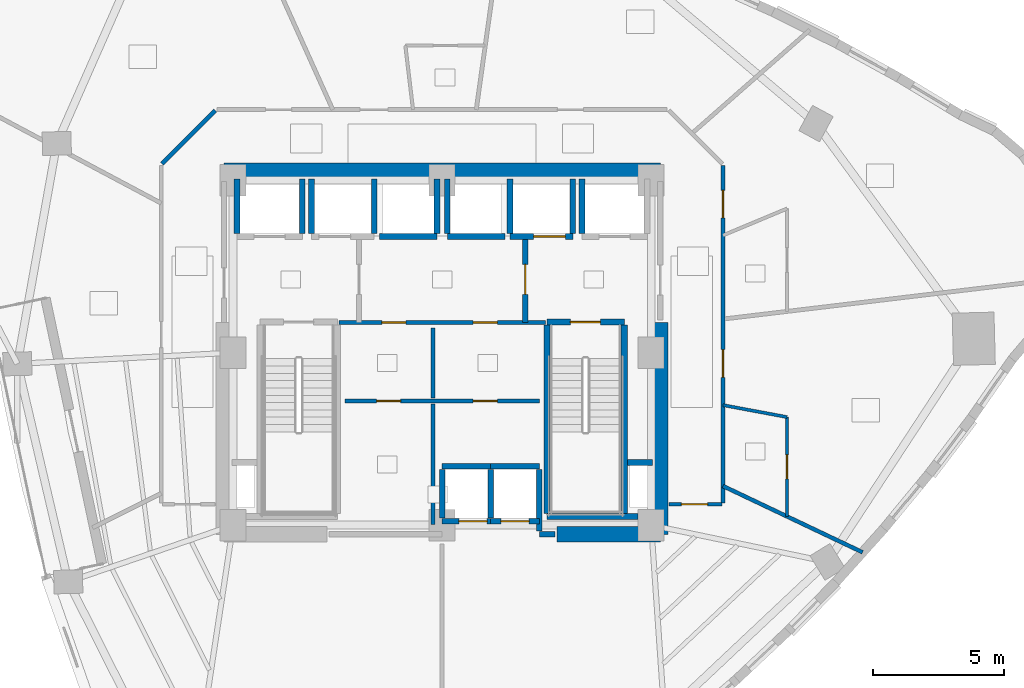
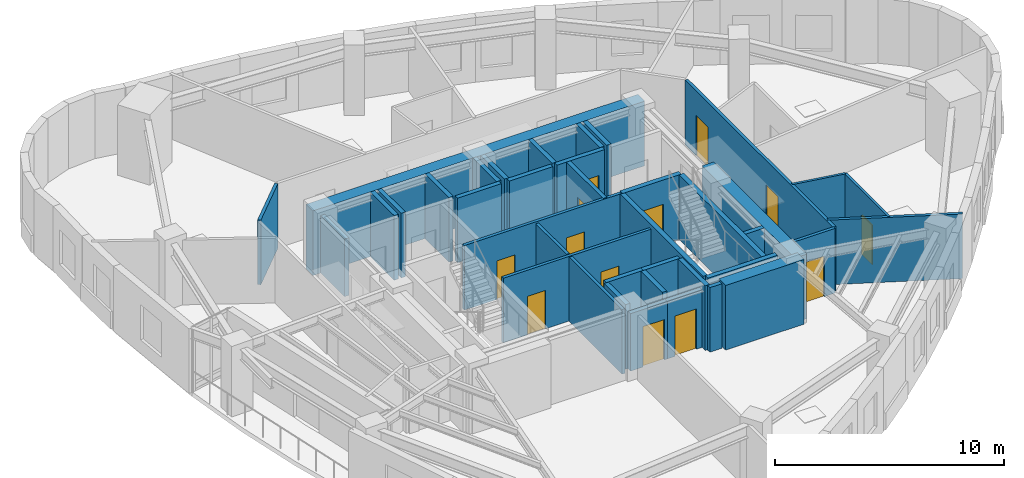
# One storey, part 7 of 12: 39 walls, 13 doors, 13 openings.
"""IFC4 building model written with IfcOpenShell, lengths in metres."""

from ifc_helpers import new_model, si_unit, direction, frame, frame_2d, origin, place, context, subcontext, project, spatial, rectangle, extrude, material, layer, layer_set, type_object, element, fill, save


model = new_model("IFC4")

# Units and contexts
model_context = context("Model", 3, precision=1e-05, world=origin(), true_north=direction((0.0, 1.0)))
body_context = subcontext(model_context, "Body", "Model", "MODEL_VIEW")
ifc_project = project(units=[si_unit("LENGTHUNIT", "METRE"), si_unit("AREAUNIT", "SQUARE_METRE"), si_unit("VOLUMEUNIT", "CUBIC_METRE"), si_unit("PLANEANGLEUNIT", "RADIAN"), si_unit("MASSUNIT", "GRAM", prefix="KILO")], contexts=[model_context])

# Site, building, storey
site_placement = place(None, origin())
site = spatial("IfcSite", under=ifc_project, at=site_placement, CompositionType="ELEMENT")
building_placement = place(site_placement, origin())
building = spatial("IfcBuilding", under=site, at=building_placement, Name="Ndelora Gate Hotel", CompositionType="ELEMENT")
storey_placement = place(building_placement, frame((0.0, 0.0, 164.75)))
storey = spatial("IfcBuildingStorey", under=building, at=storey_placement, Name="L41", CompositionType="ELEMENT", Elevation=164.75)

# Walls
ifc_material_1 = material(Name="Concrete C60/75", Category="concrete")
ifc_layer_1 = layer(ifc_material_1, 0.60009765625)
ifc_layer_set_1 = layer_set([ifc_layer_1], Name="Concrete C60/75")
wall_type_1 = type_object("IfcWallType", Name="WL-CORE-600", PredefinedType="SHEAR", material=ifc_layer_set_1)
wall_1_placement = place(storey_placement, frame((-8.35009765625, 6.949951171875, 0.0), z_axis=(0.0, 0.0, 1.0), x_axis=(1.0, 0.0, 0.0)))
element("IfcWall", 1, at=wall_1_placement, inside=storey, type_object=wall_type_1, Name="L41 Core Shear Wall N", PredefinedType="SHEAR", context=body_context, shape_type="SweptSolid", body=[
    extrude(rectangle(XDim=16.7001953125, YDim=0.60009765625, at=frame_2d((8.35009765625, 0.0))), origin(), (0.0, 0.0, 1.0), 3.43994140625),
])
wall_2_placement = place(storey_placement, frame((4.39990234375, -6.949951171875, 0.0), z_axis=(0.0, 0.0, 1.0), x_axis=(1.0, 0.0, 0.0)))
element("IfcWall", 2, at=wall_2_placement, inside=storey, type_object=wall_type_1, Name="L41 Core Shear Wall S-E", PredefinedType="SHEAR", context=body_context, shape_type="SweptSolid", body=[
    extrude(rectangle(XDim=3.9501953125, YDim=0.60009765625, at=frame_2d((1.97509765625, 0.0))), origin(), (0.0, 0.0, 1.0), 3.43994140625),
])
wall_3_placement = place(storey_placement, frame((8.35009765625, -6.949951171875, 0.0), z_axis=(0.0, 0.0, 1.0), x_axis=(0.0, 1.0, 0.0)))
element("IfcWall", 3, at=wall_3_placement, inside=storey, type_object=wall_type_1, Name="L41 Core Shear Wall E", PredefinedType="SHEAR", context=body_context, shape_type="SweptSolid", body=[
    extrude(rectangle(XDim=8.099853515625, YDim=0.60009765625, at=frame_2d((4.0498046875, 0.0))), origin(), (0.0, 0.0, 1.0), 3.43994140625),
])

# Wall, opening, door
ifc_material_2 = material(Name="Concrete C40/50", Category="concrete")
ifc_layer_2 = layer(ifc_material_2, 0.199951171875)
ifc_layer_set_2 = layer_set([ifc_layer_2], Name="Concrete C40/50")
wall_type_2 = type_object("IfcWallType", Name="WL-FIRE-200", PredefinedType="PARTITIONING", material=ifc_layer_set_2)
wall_4_placement = place(storey_placement, frame((3.179931640625, 1.14990234375, 0.0), z_axis=(0.0, 0.0, 1.0), x_axis=(0.0, 1.0, 0.0)))
wall_4 = element("IfcWall", 4, at=wall_4_placement, inside=storey, type_object=wall_type_2, Name="L41 Interior Wall IW-2", PredefinedType="PARTITIONING", context=body_context, shape_type="SweptSolid", body=[
    extrude(rectangle(XDim=3.300048828125, YDim=0.199951171875, at=frame_2d((1.64990234375, 0.0))), origin(), (0.0, 0.0, 1.0), 3.43994140625),
])
opening_1_placement = place(wall_4_placement, frame((1.080078125, 0.0, 0.0)))
opening_1 = element("IfcOpeningElement", 5, at=opening_1_placement, cuts=wall_4, Name="Opening FD1", PredefinedType="OPENING", context=body_context, shape_type="SweptSolid", body=[
    extrude(rectangle(XDim=1.14990234375, YDim=2.14990234375, at=frame_2d((0.574951171875, 1.074951171875))), frame((0.0, 0.10986328125, 0.0), z_axis=(0.0, -1.0, 0.0), x_axis=(1.0, 0.0, 0.0)), (0.0, 0.0, 1.0), 0.219970703125),
])
ifc_material_3 = material(Name="Fire-Rated Timber-Veneer Steel Core", Category="steel")
door_type_1 = type_object("IfcDoorType", Name="DR-FD60", OperationType="SINGLE_SWING_LEFT", PredefinedType="DOOR", material=ifc_material_3)
door_1_placement = place(opening_1_placement, origin())
door_1 = element("IfcDoor", 6, at=door_1_placement, inside=storey, type_object=door_type_1, Name="L41 Firefighting Lobby East Door", OperationType="SINGLE_SWING_LEFT", OverallHeight=2.14990234375, OverallWidth=1.14990234375, PredefinedType="DOOR", context=body_context, shape_type="SweptSolid", body=[
    extrude(rectangle(XDim=1.14990234375, YDim=2.14990234375, at=frame_2d((0.574951171875, 1.074951171875))), frame((0.0, 0.02490234375, 0.0), z_axis=(0.0, -1.0, 0.0), x_axis=(1.0, 0.0, 0.0)), (0.0, 0.0, 1.0), 0.050048828125),
])
fill(opening_1, door_1)

# Wall
wall_5_placement = place(storey_placement, frame((3.719970703125, -6.949951171875, 0.0), z_axis=(0.0, 0.0, 1.0), x_axis=(1.0, 0.0, 0.0)))
element("IfcWall", 7, at=wall_5_placement, inside=storey, type_object=wall_type_2, Name="L41 Interior Wall IW-2", PredefinedType="PARTITIONING", context=body_context, shape_type="SweptSolid", body=[
    extrude(rectangle(XDim=0.60009765625, YDim=0.199951171875, at=frame_2d((0.300048828125, 0.0))), origin(), (0.0, 0.0, 1.0), 3.43994140625),
])

# Wall, openings, doors
ifc_material_4 = material(Name="Fire-Rated Gypsum Stud Partition", Category="gypsum")
ifc_layer_3 = layer(ifc_material_4, 0.14990234375)
ifc_layer_set_3 = layer_set([ifc_layer_3], Name="Fire-Rated Gypsum Stud Partition")
wall_type_3 = type_object("IfcWallType", Name="WL-PART-150", PredefinedType="PARTITIONING", material=ifc_layer_set_3)
wall_6_placement = place(storey_placement, frame((3.949951171875, 1.14990234375, 0.0), z_axis=(0.0, 0.0, 1.0), x_axis=(-1.0, 0.0, 0.0)))
wall_6 = element("IfcWall", 8, at=wall_6_placement, inside=storey, type_object=wall_type_3, Name="L41 Interior Wall IW-5", PredefinedType="PARTITIONING", context=body_context, shape_type="SweptSolid", body=[
    extrude(rectangle(XDim=7.89990234375, YDim=0.14990234375, at=frame_2d((3.949951171875, 0.0))), origin(), (0.0, 0.0, 1.0), 3.43994140625),
])
opening_2_placement = place(wall_6_placement, frame((5.340087890625, 0.0, 0.0)))
opening_2 = element("IfcOpeningElement", 9, at=opening_2_placement, cuts=wall_6, Name="Opening D04", PredefinedType="OPENING", context=body_context, shape_type="SweptSolid", body=[
    extrude(rectangle(XDim=0.919921875, YDim=2.050048828125, at=frame_2d((0.4599609375, 1.02490234375))), frame((0.0, 0.0849609375, 0.0), z_axis=(0.0, -1.0, 0.0), x_axis=(1.0, 0.0, 0.0)), (0.0, 0.0, 1.0), 0.169921875),
])
opening_3_placement = place(wall_6_placement, frame((1.840087890625, 0.0, 0.0)))
opening_3 = element("IfcOpeningElement", 10, at=opening_3_placement, cuts=wall_6, Name="Opening D04", PredefinedType="OPENING", context=body_context, shape_type="SweptSolid", body=[
    extrude(rectangle(XDim=0.919921875, YDim=2.050048828125, at=frame_2d((0.4599609375, 1.02490234375))), frame((0.0, 0.0849609375, 0.0), z_axis=(0.0, -1.0, 0.0), x_axis=(1.0, 0.0, 0.0)), (0.0, 0.0, 1.0), 0.169921875),
])
ifc_material_5 = material(Name="Painted Steel Core Service Door", Category="steel")
door_type_2 = type_object("IfcDoorType", Name="DR-SER-920", OperationType="SINGLE_SWING_LEFT", PredefinedType="DOOR", material=ifc_material_5)
door_2_placement = place(opening_2_placement, origin())
door_2 = element("IfcDoor", 11, at=door_2_placement, inside=storey, type_object=door_type_2, Name="L41 Core Electrical Closet Door", OperationType="SINGLE_SWING_LEFT", OverallHeight=2.050048828125, OverallWidth=0.919921875, PredefinedType="DOOR", context=body_context, shape_type="SweptSolid", body=[
    extrude(rectangle(XDim=0.919921875, YDim=2.050048828125, at=frame_2d((0.4599609375, 1.02490234375))), frame((0.0, 0.02490234375, 0.0), z_axis=(0.0, -1.0, 0.0), x_axis=(1.0, 0.0, 0.0)), (0.0, 0.0, 1.0), 0.050048828125),
])
fill(opening_2, door_2)
door_3_placement = place(opening_3_placement, origin())
door_3 = element("IfcDoor", 12, at=door_3_placement, inside=storey, type_object=door_type_2, Name="L41 Comms Patching Store Door", OperationType="SINGLE_SWING_RIGHT", OverallHeight=2.050048828125, OverallWidth=0.919921875, PredefinedType="DOOR", context=body_context, shape_type="SweptSolid", body=[
    extrude(rectangle(XDim=0.919921875, YDim=2.050048828125, at=frame_2d((0.4599609375, 1.02490234375))), frame((0.0, 0.02490234375, 0.0), z_axis=(0.0, -1.0, 0.0), x_axis=(1.0, 0.0, 0.0)), (0.0, 0.0, 1.0), 0.050048828125),
])
fill(opening_3, door_3)

wall_7_placement = place(storey_placement, frame((-3.719970703125, -1.85009765625, 0.0), z_axis=(0.0, 0.0, 1.0), x_axis=(1.0, 0.0, 0.0)))
wall_7 = element("IfcWall", 13, at=wall_7_placement, inside=storey, type_object=wall_type_3, Name="L41 Interior Wall IW-5", PredefinedType="PARTITIONING", context=body_context, shape_type="SweptSolid", body=[
    extrude(rectangle(XDim=7.43994140625, YDim=0.14990234375, at=frame_2d((3.719970703125, 0.0))), origin(), (0.0, 0.0, 1.0), 3.43994140625),
])
opening_4_placement = place(wall_7_placement, frame((1.2099609375, 0.0, 0.0)))
opening_4 = element("IfcOpeningElement", 14, at=opening_4_placement, cuts=wall_7, Name="Opening D04", PredefinedType="OPENING", context=body_context, shape_type="SweptSolid", body=[
    extrude(rectangle(XDim=0.919921875, YDim=2.050048828125, at=frame_2d((0.4599609375, 1.02490234375))), frame((0.0, 0.0849609375, 0.0), z_axis=(0.0, -1.0, 0.0), x_axis=(1.0, 0.0, 0.0)), (0.0, 0.0, 1.0), 0.169921875),
])
opening_5_placement = place(wall_7_placement, frame((4.909912109375, 0.0, 0.0)))
opening_5 = element("IfcOpeningElement", 15, at=opening_5_placement, cuts=wall_7, Name="Opening D04", PredefinedType="OPENING", context=body_context, shape_type="SweptSolid", body=[
    extrude(rectangle(XDim=0.919921875, YDim=2.050048828125, at=frame_2d((0.4599609375, 1.02490234375))), frame((0.0, 0.0849609375, 0.0), z_axis=(0.0, -1.0, 0.0), x_axis=(1.0, 0.0, 0.0)), (0.0, 0.0, 1.0), 0.169921875),
])
door_4_placement = place(opening_4_placement, origin())
door_4 = element("IfcDoor", 16, at=door_4_placement, inside=storey, type_object=door_type_2, Name="L41 Core Service Internal Door", OperationType="SINGLE_SWING_LEFT", OverallHeight=2.050048828125, OverallWidth=0.919921875, PredefinedType="DOOR", context=body_context, shape_type="SweptSolid", body=[
    extrude(rectangle(XDim=0.919921875, YDim=2.050048828125, at=frame_2d((0.4599609375, 1.02490234375))), frame((0.0, 0.02490234375, 0.0), z_axis=(0.0, -1.0, 0.0), x_axis=(1.0, 0.0, 0.0)), (0.0, 0.0, 1.0), 0.050048828125),
])
fill(opening_4, door_4)
door_5_placement = place(opening_5_placement, origin())
door_5 = element("IfcDoor", 17, at=door_5_placement, inside=storey, type_object=door_type_2, Name="L41 Core Service Internal Door", OperationType="SINGLE_SWING_LEFT", OverallHeight=2.050048828125, OverallWidth=0.919921875, PredefinedType="DOOR", context=body_context, shape_type="SweptSolid", body=[
    extrude(rectangle(XDim=0.919921875, YDim=2.050048828125, at=frame_2d((0.4599609375, 1.02490234375))), frame((0.0, 0.02490234375, 0.0), z_axis=(0.0, -1.0, 0.0), x_axis=(1.0, 0.0, 0.0)), (0.0, 0.0, 1.0), 0.050048828125),
])
fill(opening_5, door_5)

# Walls
wall_8_placement = place(storey_placement, frame((-0.35009765625, -6.580078125, 0.0), z_axis=(0.0, 0.0, 1.0), x_axis=(0.0, 1.0, 0.0)))
element("IfcWall", 18, at=wall_8_placement, inside=storey, type_object=wall_type_3, Name="L41 Interior Wall IW-5", PredefinedType="PARTITIONING", context=body_context, shape_type="SweptSolid", body=[
    extrude(rectangle(XDim=4.610107421875, YDim=0.14990234375, at=frame_2d((2.30517578125, 0.0))), origin(), (0.0, 0.0, 1.0), 3.43994140625),
])
wall_9_placement = place(storey_placement, frame((-0.35009765625, -1.72998046875, 0.0), z_axis=(0.0, 0.0, 1.0), x_axis=(0.0, 1.0, 0.0)))
element("IfcWall", 19, at=wall_9_placement, inside=storey, type_object=wall_type_3, Name="L41 Interior Wall IW-5", PredefinedType="PARTITIONING", context=body_context, shape_type="SweptSolid", body=[
    extrude(rectangle(XDim=2.679931640625, YDim=0.14990234375, at=frame_2d((1.33984375, 0.0))), origin(), (0.0, 0.0, 1.0), 3.43994140625),
])

# Wall, opening, door
wall_10_placement = place(storey_placement, frame((10.7099609375, -5.800048828125, 0.0), z_axis=(0.0, 0.0, 1.0), x_axis=(-1.0, 0.0, 0.0)))
wall_10 = element("IfcWall", 20, at=wall_10_placement, inside=storey, type_object=wall_type_3, Name="L41 Interior Wall IW-5", PredefinedType="PARTITIONING", context=body_context, shape_type="SweptSolid", body=[
    extrude(rectangle(XDim=2.02001953125, YDim=0.14990234375, at=frame_2d((1.010009765625, 0.0))), origin(), (0.0, 0.0, 1.0), 3.43994140625),
])
opening_6_placement = place(wall_10_placement, frame((0.550048828125, 0.0, 0.0)))
opening_6 = element("IfcOpeningElement", 21, at=opening_6_placement, cuts=wall_10, Name="Opening D01", PredefinedType="OPENING", context=body_context, shape_type="SweptSolid", body=[
    extrude(rectangle(XDim=1.0, YDim=2.14990234375, at=frame_2d((0.5, 1.074951171875))), frame((0.0, 0.0849609375, 0.0), z_axis=(0.0, -1.0, 0.0), x_axis=(1.0, 0.0, 0.0)), (0.0, 0.0, 1.0), 0.169921875),
])
ifc_material_6 = material(Name="Acoustic Hardwood Guest Entrance Door", Category="wood")
door_type_3 = type_object("IfcDoorType", Name="DR-COR-1000", OperationType="SINGLE_SWING_LEFT", PredefinedType="DOOR", material=ifc_material_6)
door_6_placement = place(opening_6_placement, origin())
door_6 = element("IfcDoor", 22, at=door_6_placement, inside=storey, type_object=door_type_3, Name="L41 Champagne Wine Bar Entrance Door", OperationType="SINGLE_SWING_RIGHT", OverallHeight=2.14990234375, OverallWidth=1.0, PredefinedType="DOOR", context=body_context, shape_type="SweptSolid", body=[
    extrude(rectangle(XDim=1.0, YDim=2.14990234375, at=frame_2d((0.5, 1.074951171875))), frame((0.0, 0.02490234375, 0.0), z_axis=(0.0, -1.0, 0.0), x_axis=(1.0, 0.0, 0.0)), (0.0, 0.0, 1.0), 0.050048828125),
])
fill(opening_6, door_6)

# Wall, openings, doors
wall_11_placement = place(storey_placement, frame((10.75, 7.159912109375, 0.0), z_axis=(0.0, 0.0, 1.0), x_axis=(0.0, -1.0, 0.0)))
wall_11 = element("IfcWall", 23, at=wall_11_placement, inside=storey, type_object=wall_type_3, Name="L41 Interior Wall IW-5", PredefinedType="PARTITIONING", context=body_context, shape_type="SweptSolid", body=[
    extrude(rectangle(XDim=12.919921875, YDim=0.14990234375, at=frame_2d((6.4599609375, 0.0))), origin(), (0.0, 0.0, 1.0), 3.43994140625),
])
opening_7_placement = place(wall_11_placement, frame((7.041015625, 0.0, 0.0)))
opening_7 = element("IfcOpeningElement", 24, at=opening_7_placement, cuts=wall_11, Name="Opening D07", PredefinedType="OPENING", context=body_context, shape_type="SweptSolid", body=[
    extrude(rectangle(XDim=1.06005859375, YDim=2.14990234375, at=frame_2d((0.530029296875, 1.074951171875))), frame((0.0, 0.0849609375, 0.0), z_axis=(0.0, -1.0, 0.0), x_axis=(1.0, 0.0, 0.0)), (0.0, 0.0, 1.0), 0.169921875),
])
opening_8_placement = place(wall_11_placement, frame((0.9443359375, 0.0, 0.0)))
opening_8 = element("IfcOpeningElement", 25, at=opening_8_placement, cuts=wall_11, Name="Opening D07", PredefinedType="OPENING", context=body_context, shape_type="SweptSolid", body=[
    extrude(rectangle(XDim=1.06005859375, YDim=2.14990234375, at=frame_2d((0.530029296875, 1.074951171875))), frame((0.0, 0.0849609375, 0.0), z_axis=(0.0, -1.0, 0.0), x_axis=(1.0, 0.0, 0.0)), (0.0, 0.0, 1.0), 0.169921875),
])
ifc_material_7 = material(Name="Diplomatic Suite Acoustic Entrance Door", Category="wood")
door_type_4 = type_object("IfcDoorType", Name="DR-SUITE-1060", OperationType="SINGLE_SWING_LEFT", PredefinedType="DOOR", material=ifc_material_7)
door_7_placement = place(opening_7_placement, origin())
door_7 = element("IfcDoor", 26, at=door_7_placement, inside=storey, type_object=door_type_4, Name="L41 Corner Diplomatic Suite 4401 Entrance Door", OperationType="SINGLE_SWING_LEFT", OverallHeight=2.14990234375, OverallWidth=1.06005859375, PredefinedType="DOOR", context=body_context, shape_type="SweptSolid", body=[
    extrude(rectangle(XDim=1.06005859375, YDim=2.14990234375, at=frame_2d((0.530029296875, 1.074951171875))), frame((0.0, 0.02490234375, 0.0), z_axis=(0.0, -1.0, 0.0), x_axis=(1.0, 0.0, 0.0)), (0.0, 0.0, 1.0), 0.050048828125),
])
fill(opening_7, door_7)
door_8_placement = place(opening_8_placement, origin())
door_8 = element("IfcDoor", 27, at=door_8_placement, inside=storey, type_object=door_type_4, Name="L41 Presidential Club Suite 4402 Entrance Door", OperationType="SINGLE_SWING_RIGHT", OverallHeight=2.14990234375, OverallWidth=1.06005859375, PredefinedType="DOOR", context=body_context, shape_type="SweptSolid", body=[
    extrude(rectangle(XDim=1.06005859375, YDim=2.14990234375, at=frame_2d((0.530029296875, 1.074951171875))), frame((0.0, 0.02490234375, 0.0), z_axis=(0.0, -1.0, 0.0), x_axis=(1.0, 0.0, 0.0)), (0.0, 0.0, 1.0), 0.050048828125),
])
fill(opening_8, door_8)

# Walls
wall_12_placement = place(storey_placement, frame((-10.7216796875, 7.228271484375, 0.0), z_axis=(0.0, 0.0, 1.0), x_axis=(0.707106781187, 0.707106781187, 0.0)))
element("IfcWall", 28, at=wall_12_placement, inside=storey, type_object=wall_type_3, Name="L41 Interior Wall IW-5", PredefinedType="PARTITIONING", context=body_context, shape_type="SweptSolid", body=[
    extrude(rectangle(XDim=2.889892578125, YDim=0.14990234375, at=frame_2d((1.44482421875, 0.0))), origin(), (0.0, 0.0, 1.0), 3.43994140625),
])
wall_13_placement = place(storey_placement, frame((10.75, -5.1044921875, 0.0), z_axis=(0.0, 0.0, 1.0), x_axis=(0.903343915081, -0.428916974583, 0.0)))
element("IfcWall", 29, at=wall_13_placement, inside=storey, type_object=wall_type_3, Name="L41 Interior Wall IW-5", PredefinedType="PARTITIONING", context=body_context, shape_type="SweptSolid", body=[
    extrude(rectangle(XDim=5.91162109375, YDim=0.14990234375, at=frame_2d((2.955810546875, 0.0))), origin(), (0.0, 0.0, 1.0), 3.43994140625),
])
ifc_layer_4 = layer(ifc_material_2, 0.219970703125)
ifc_layer_set_4 = layer_set([ifc_layer_4], Name="Concrete C40/50")
wall_type_4 = type_object("IfcWallType", Name="WL-SHAFT-220", PredefinedType="PARTITIONING", material=ifc_layer_set_4)
wall_14_placement = place(storey_placement, frame((7.090087890625, -4.199951171875, 0.0), z_axis=(0.0, 0.0, 1.0), x_axis=(1.0, 0.0, 0.0)))
element("IfcWall", 30, at=wall_14_placement, inside=storey, type_object=wall_type_4, Name="L41 Interior Wall IW-1", PredefinedType="PARTITIONING", context=body_context, shape_type="SweptSolid", body=[
    extrude(rectangle(XDim=0.9599609375, YDim=0.219970703125, at=frame_2d((0.47998046875, 0.0))), origin(), (0.0, 0.0, 1.0), 3.43994140625),
])
wall_15_placement = place(storey_placement, frame((-7.85009765625, 4.570068359375, 0.0), z_axis=(0.0, 0.0, 1.0), x_axis=(0.0, 1.0, 0.0)))
element("IfcWall", 31, at=wall_15_placement, inside=storey, type_object=wall_type_4, Name="L41 Interior Wall IW-1", PredefinedType="PARTITIONING", context=body_context, shape_type="SweptSolid", body=[
    extrude(rectangle(XDim=2.079833984375, YDim=0.219970703125, at=frame_2d((1.0400390625, 0.0))), origin(), (0.0, 0.0, 1.0), 3.06005859375),
])
for number, where, z_axis, x_axis, name in (
    (32, (-5.35009765625, 4.570068359375, 0.0), (0.0, 0.0, 1.0), (0.0, 1.0, 0.0), "L41 Interior Wall IW-1"),
    (33, (5.35009765625, 4.570068359375, 0.0), (0.0, 0.0, 1.0), (0.0, 1.0, 0.0), "L41 Interior Wall IW-1"),
    (34, (-5.0, 4.570068359375, 0.0), (0.0, 0.0, 1.0), (0.0, 1.0, 0.0), "L41 Interior Wall IW-1"),
    (35, (-2.60009765625, 4.570068359375, 0.0), (0.0, 0.0, 1.0), (0.0, 1.0, 0.0), "L41 Interior Wall IW-1"),
):
    element("IfcWall", number, at=place(storey_placement, frame(where, z_axis=z_axis, x_axis=x_axis)), inside=storey, type_object=wall_type_4, Name=name, PredefinedType="PARTITIONING", context=body_context, shape_type="SweptSolid", body=[
        extrude(rectangle(XDim=2.079833984375, YDim=0.219970703125, at=frame_2d((1.0400390625, 0.0))), origin(), (0.0, 0.0, 1.0), 3.43994140625),
    ])

# Wall, opening, door
wall_16_placement = place(storey_placement, frame((2.60009765625, 4.449951171875, 0.0), z_axis=(0.0, 0.0, 1.0), x_axis=(1.0, 0.0, 0.0)))
wall_16 = element("IfcWall", 36, at=wall_16_placement, inside=storey, type_object=wall_type_4, Name="L41 Interior Wall IW-1", PredefinedType="PARTITIONING", context=body_context, shape_type="SweptSolid", body=[
    extrude(rectangle(XDim=2.39990234375, YDim=0.219970703125, at=frame_2d((1.199951171875, 0.0))), origin(), (0.0, 0.0, 1.0), 3.43994140625),
])
opening_9_placement = place(wall_16_placement, frame((0.89990234375, 0.0, 0.0)))
opening_9 = element("IfcOpeningElement", 37, at=opening_9_placement, cuts=wall_16, Name="Opening LD6", PredefinedType="OPENING", context=body_context, shape_type="SweptSolid", body=[
    extrude(rectangle(XDim=1.219970703125, YDim=2.14990234375, at=frame_2d((0.60986328125, 1.074951171875))), frame((0.0, 0.1201171875, 0.0), z_axis=(0.0, -1.0, 0.0), x_axis=(1.0, 0.0, 0.0)), (0.0, 0.0, 1.0), 0.239990234375),
])
ifc_material_8 = material(Name="Heavy-Duty Service Lift Sliding Landing Door", Category="wood")
door_type_5 = type_object("IfcDoorType", Name="DR-LD6", OperationType="DOUBLE_DOOR_SLIDING", PredefinedType="DOOR", material=ifc_material_8)
door_9_placement = place(opening_9_placement, origin())
door_9 = element("IfcDoor", 38, at=door_9_placement, inside=storey, type_object=door_type_5, Name="L41 Lift Landing Sliding Door SVL2", OperationType="DOUBLE_DOOR_SLIDING", OverallHeight=2.14990234375, OverallWidth=1.219970703125, PredefinedType="DOOR", context=body_context, shape_type="SweptSolid", body=[
    extrude(rectangle(XDim=1.219970703125, YDim=2.14990234375, at=frame_2d((0.60986328125, 1.074951171875))), frame((0.0, 0.02490234375, 0.0), z_axis=(0.0, -1.0, 0.0), x_axis=(1.0, 0.0, 0.0)), (0.0, 0.0, 1.0), 0.050048828125),
])
fill(opening_9, door_9)

# Walls
for number, where, z_axis, x_axis, name in (
    (39, (2.60009765625, 4.570068359375, 0.0), (0.0, 0.0, 1.0), (0.0, 1.0, 0.0), "L41 Interior Wall IW-1"),
    (40, (5.0, 4.570068359375, 0.0), (0.0, 0.0, 1.0), (0.0, 1.0, 0.0), "L41 Interior Wall IW-1"),
):
    element("IfcWall", number, at=place(storey_placement, frame(where, z_axis=z_axis, x_axis=x_axis)), inside=storey, type_object=wall_type_4, Name=name, PredefinedType="PARTITIONING", context=body_context, shape_type="SweptSolid", body=[
        extrude(rectangle(XDim=2.079833984375, YDim=0.219970703125, at=frame_2d((1.0400390625, 0.0))), origin(), (0.0, 0.0, 1.0), 3.43994140625),
    ])

# Wall, opening, door
wall_17_placement = place(storey_placement, frame((0.0, -6.449951171875, 0.0), z_axis=(0.0, 0.0, 1.0), x_axis=(1.0, 0.0, 0.0)))
wall_17 = element("IfcWall", 41, at=wall_17_placement, inside=storey, type_object=wall_type_4, Name="L41 Interior Wall IW-1", PredefinedType="PARTITIONING", context=body_context, shape_type="SweptSolid", body=[
    extrude(rectangle(XDim=1.860107421875, YDim=0.219970703125, at=frame_2d((0.93017578125, 0.0))), origin(), (0.0, 0.0, 1.0), 3.06005859375),
])
opening_10_placement = place(wall_17_placement, frame((0.639892578125, 0.0, 0.0)))
opening_10 = element("IfcOpeningElement", 42, at=opening_10_placement, cuts=wall_17, Name="Opening LD2", PredefinedType="OPENING", context=body_context, shape_type="SweptSolid", body=[
    extrude(rectangle(XDim=1.080078125, YDim=2.14990234375, at=frame_2d((0.5400390625, 1.074951171875))), frame((0.0, 0.1201171875, 0.0), z_axis=(0.0, -1.0, 0.0), x_axis=(1.0, 0.0, 0.0)), (0.0, 0.0, 1.0), 0.239990234375),
])
ifc_material_9 = material(Name="Brushed Bronze Stainless Lift Landing Door", Category="metal")
door_type_6 = type_object("IfcDoorType", Name="DR-LD2", OperationType="DOUBLE_DOOR_SLIDING", PredefinedType="DOOR", material=ifc_material_9)
door_10_placement = place(opening_10_placement, origin())
door_10 = element("IfcDoor", 43, at=door_10_placement, inside=storey, type_object=door_type_6, Name="L41 Lift Landing Sliding Door P2A", OperationType="DOUBLE_DOOR_SLIDING", OverallHeight=2.14990234375, OverallWidth=1.080078125, PredefinedType="DOOR", context=body_context, shape_type="SweptSolid", body=[
    extrude(rectangle(XDim=1.080078125, YDim=2.14990234375, at=frame_2d((0.5400390625, 1.074951171875))), frame((0.0, 0.02490234375, 0.0), z_axis=(0.0, -1.0, 0.0), x_axis=(1.0, 0.0, 0.0)), (0.0, 0.0, 1.0), 0.050048828125),
])
fill(opening_10, door_10)

# Walls
for number, where, z_axis, x_axis, name in (
    (44, (0.0, -4.35009765625, 0.0), (0.0, 0.0, 1.0), (1.0, 0.0, 0.0), "L41 Interior Wall IW-1"),
    (45, (0.0, -6.330078125, 0.0), (0.0, 0.0, 1.0), (0.0, 1.0, 0.0), "L41 Interior Wall IW-1"),
    (46, (1.860107421875, -6.330078125, 0.0), (0.0, 0.0, 1.0), (0.0, 1.0, 0.0), "L41 Interior Wall IW-1"),
):
    element("IfcWall", number, at=place(storey_placement, frame(where, z_axis=z_axis, x_axis=x_axis)), inside=storey, type_object=wall_type_4, Name=name, PredefinedType="PARTITIONING", context=body_context, shape_type="SweptSolid", body=[
        extrude(rectangle(XDim=1.860107421875, YDim=0.219970703125, at=frame_2d((0.93017578125, 0.0))), origin(), (0.0, 0.0, 1.0), 3.43994140625),
    ])

# Wall, opening, door
wall_18_placement = place(storey_placement, frame((1.860107421875, -6.449951171875, 0.0), z_axis=(0.0, 0.0, 1.0), x_axis=(1.0, 0.0, 0.0)))
wall_18 = element("IfcWall", 47, at=wall_18_placement, inside=storey, type_object=wall_type_4, Name="L41 Interior Wall IW-1", PredefinedType="PARTITIONING", context=body_context, shape_type="SweptSolid", body=[
    extrude(rectangle(XDim=1.85986328125, YDim=0.219970703125, at=frame_2d((0.929931640625, 0.0))), origin(), (0.0, 0.0, 1.0), 3.06005859375),
])
opening_11_placement = place(wall_18_placement, frame((0.389892578125, 0.0, 0.0)))
opening_11 = element("IfcOpeningElement", 48, at=opening_11_placement, cuts=wall_18, Name="Opening LD2", PredefinedType="OPENING", context=body_context, shape_type="SweptSolid", body=[
    extrude(rectangle(XDim=1.080078125, YDim=2.14990234375, at=frame_2d((0.5400390625, 1.074951171875))), frame((0.0, 0.1201171875, 0.0), z_axis=(0.0, -1.0, 0.0), x_axis=(1.0, 0.0, 0.0)), (0.0, 0.0, 1.0), 0.239990234375),
])
door_11_placement = place(opening_11_placement, origin())
door_11 = element("IfcDoor", 49, at=door_11_placement, inside=storey, type_object=door_type_6, Name="L41 Lift Landing Sliding Door P2B", OperationType="DOUBLE_DOOR_SLIDING", OverallHeight=2.14990234375, OverallWidth=1.080078125, PredefinedType="DOOR", context=body_context, shape_type="SweptSolid", body=[
    extrude(rectangle(XDim=1.080078125, YDim=2.14990234375, at=frame_2d((0.5400390625, 1.074951171875))), frame((0.0, 0.02490234375, 0.0), z_axis=(0.0, -1.0, 0.0), x_axis=(1.0, 0.0, 0.0)), (0.0, 0.0, 1.0), 0.050048828125),
])
fill(opening_11, door_11)

# Walls
wall_19_placement = place(storey_placement, frame((1.860107421875, -4.35009765625, 0.0), z_axis=(0.0, 0.0, 1.0), x_axis=(1.0, 0.0, 0.0)))
element("IfcWall", 50, at=wall_19_placement, inside=storey, type_object=wall_type_4, Name="L41 Interior Wall IW-1", PredefinedType="PARTITIONING", context=body_context, shape_type="SweptSolid", body=[
    extrude(rectangle(XDim=1.85986328125, YDim=0.219970703125, at=frame_2d((0.929931640625, 0.0))), origin(), (0.0, 0.0, 1.0), 3.43994140625),
])
wall_20_placement = place(storey_placement, frame((3.719970703125, -6.830078125, 0.0), z_axis=(0.0, 0.0, 1.0), x_axis=(0.0, 1.0, 0.0)))
element("IfcWall", 51, at=wall_20_placement, inside=storey, type_object=wall_type_4, Name="L41 Interior Wall IW-1", PredefinedType="PARTITIONING", context=body_context, shape_type="SweptSolid", body=[
    extrude(rectangle(XDim=2.360107421875, YDim=0.219970703125, at=frame_2d((1.18017578125, 0.0))), origin(), (0.0, 0.0, 1.0), 3.43994140625),
])
wall_21_placement = place(storey_placement, frame((-2.39990234375, 4.449951171875, 0.0), z_axis=(0.0, 0.0, 1.0), x_axis=(1.0, 0.0, 0.0)))
element("IfcWall", 52, at=wall_21_placement, inside=storey, type_object=wall_type_4, Name="L41 Interior Wall IW-1", PredefinedType="PARTITIONING", context=body_context, shape_type="SweptSolid", body=[
    extrude(rectangle(XDim=2.199951171875, YDim=0.219970703125, at=frame_2d((1.10009765625, 0.0))), origin(), (0.0, 0.0, 1.0), 3.43994140625),
])
wall_22_placement = place(storey_placement, frame((-0.199951171875, 4.570068359375, 0.0), z_axis=(0.0, 0.0, 1.0), x_axis=(0.0, 1.0, 0.0)))
element("IfcWall", 53, at=wall_22_placement, inside=storey, type_object=wall_type_4, Name="L41 Interior Wall IW-1", PredefinedType="PARTITIONING", context=body_context, shape_type="SweptSolid", body=[
    extrude(rectangle(XDim=2.079833984375, YDim=0.219970703125, at=frame_2d((1.0400390625, 0.0))), origin(), (0.0, 0.0, 1.0), 3.43994140625),
])
wall_23_placement = place(storey_placement, frame((0.199951171875, 4.449951171875, 0.0), z_axis=(0.0, 0.0, 1.0), x_axis=(1.0, 0.0, 0.0)))
element("IfcWall", 54, at=wall_23_placement, inside=storey, type_object=wall_type_4, Name="L41 Interior Wall IW-1", PredefinedType="PARTITIONING", context=body_context, shape_type="SweptSolid", body=[
    extrude(rectangle(XDim=2.199951171875, YDim=0.219970703125, at=frame_2d((1.10009765625, 0.0))), origin(), (0.0, 0.0, 1.0), 3.43994140625),
])
wall_24_placement = place(storey_placement, frame((0.199951171875, 4.570068359375, 0.0), z_axis=(0.0, 0.0, 1.0), x_axis=(0.0, 1.0, 0.0)))
element("IfcWall", 55, at=wall_24_placement, inside=storey, type_object=wall_type_4, Name="L41 Interior Wall IW-1", PredefinedType="PARTITIONING", context=body_context, shape_type="SweptSolid", body=[
    extrude(rectangle(XDim=2.079833984375, YDim=0.219970703125, at=frame_2d((1.0400390625, 0.0))), origin(), (0.0, 0.0, 1.0), 3.43994140625),
])
ifc_material_10 = material(Name="Concrete C50/60", Category="concrete")
ifc_layer_5 = layer(ifc_material_10, 0.239990234375)
ifc_layer_set_5 = layer_set([ifc_layer_5], Name="Concrete C50/60")
wall_type_5 = type_object("IfcWallType", Name="WL-STAIR-240", PredefinedType="SHEAR", material=ifc_layer_set_5)
for number, where, z_axis, x_axis, name in (
    (56, (4.010009765625, -6.159912109375, 0.0), (0.0, 0.0, 1.0), (0.0, 1.0, 0.0), "L41 Stair Core Shear Wall SW-ST"),
    (57, (6.969970703125, -6.159912109375, 0.0), (0.0, 0.0, 1.0), (0.0, 1.0, 0.0), "L41 Stair Core Shear Wall SW-ST"),
):
    element("IfcWall", number, at=place(storey_placement, frame(where, z_axis=z_axis, x_axis=x_axis)), inside=storey, type_object=wall_type_5, Name=name, PredefinedType="SHEAR", context=body_context, shape_type="SweptSolid", body=[
        extrude(rectangle(XDim=7.219970703125, YDim=0.239990234375, at=frame_2d((3.60986328125, 0.0))), origin(), (0.0, 0.0, 1.0), 3.43994140625),
    ])
wall_25_placement = place(storey_placement, frame((4.010009765625, -6.27001953125, 0.0), z_axis=(0.0, 0.0, 1.0), x_axis=(1.0, 0.0, 0.0)))
element("IfcWall", 58, at=wall_25_placement, inside=storey, type_object=wall_type_5, Name="L41 Stair Core Shear Wall SW-ST", PredefinedType="SHEAR", context=body_context, shape_type="SweptSolid", body=[
    extrude(rectangle(XDim=3.489990234375, YDim=0.239990234375, at=frame_2d((1.7451171875, 0.0))), origin(), (0.0, 0.0, 1.0), 3.43994140625),
])

# Wall, opening, door
wall_26_placement = place(storey_placement, frame((4.010009765625, 1.169921875, 0.0), z_axis=(0.0, 0.0, 1.0), x_axis=(1.0, 0.0, 0.0)))
wall_26 = element("IfcWall", 59, at=wall_26_placement, inside=storey, type_object=wall_type_5, Name="L41 Stair Core Shear Wall SW-ST", PredefinedType="SHEAR", context=body_context, shape_type="SweptSolid", body=[
    extrude(rectangle(XDim=2.9599609375, YDim=0.239990234375, at=frame_2d((1.47998046875, 0.0))), origin(), (0.0, 0.0, 1.0), 3.43994140625),
])
opening_12_placement = place(wall_26_placement, frame((0.89990234375, 0.0, 0.0)))
opening_12 = element("IfcOpeningElement", 60, at=opening_12_placement, cuts=wall_26, Name="Opening FD1", PredefinedType="OPENING", context=body_context, shape_type="SweptSolid", body=[
    extrude(rectangle(XDim=1.14990234375, YDim=2.14990234375, at=frame_2d((0.574951171875, 1.074951171875))), frame((0.0, 0.1298828125, 0.0), z_axis=(0.0, -1.0, 0.0), x_axis=(1.0, 0.0, 0.0)), (0.0, 0.0, 1.0), 0.260009765625),
])
door_12_placement = place(opening_12_placement, origin())
door_12 = element("IfcDoor", 61, at=door_12_placement, inside=storey, type_object=door_type_1, Name="L41 Exit Stair ST5 Door", OperationType="SINGLE_SWING_RIGHT", OverallHeight=2.14990234375, OverallWidth=1.14990234375, PredefinedType="DOOR", context=body_context, shape_type="SweptSolid", body=[
    extrude(rectangle(XDim=1.14990234375, YDim=2.14990234375, at=frame_2d((0.574951171875, 1.074951171875))), frame((0.0, 0.02490234375, 0.0), z_axis=(0.0, -1.0, 0.0), x_axis=(1.0, 0.0, 0.0)), (0.0, 0.0, 1.0), 0.050048828125),
])
fill(opening_12, door_12)

# Wall
ifc_material_11 = material(Name="Moisture-Resistant Bathroom Tile Partition", Category="gypsum")
ifc_layer_6 = layer(ifc_material_11, 0.1201171875)
ifc_layer_set_6 = layer_set([ifc_layer_6], Name="Moisture-Resistant Bathroom Tile Partition")
wall_type_6 = type_object("IfcWallType", Name="WL-WET-120", PredefinedType="PARTITIONING", material=ifc_layer_set_6)
wall_27_placement = place(storey_placement, frame((10.75, -2.007568359375, 0.0), z_axis=(0.0, 0.0, 1.0), x_axis=(0.983006110044, -0.183572840082, 0.0)))
element("IfcWall", 62, at=wall_27_placement, inside=storey, type_object=wall_type_6, Name="L41 Interior Wall IW-7", PredefinedType="PARTITIONING", context=body_context, shape_type="SweptSolid", body=[
    extrude(rectangle(XDim=2.4921875, YDim=0.1201171875, at=frame_2d((1.24609375, 0.0))), origin(), (0.0, 0.0, 1.0), 3.43994140625),
])

# Wall, opening, door
wall_28_placement = place(storey_placement, frame((13.199951171875, -2.465087890625, 0.0), z_axis=(0.0, 0.0, 1.0), x_axis=(0.0, -1.0, 0.0)))
wall_28 = element("IfcWall", 63, at=wall_28_placement, inside=storey, type_object=wall_type_6, Name="L41 Interior Wall IW-7", PredefinedType="PARTITIONING", context=body_context, shape_type="SweptSolid", body=[
    extrude(rectangle(XDim=3.802734375, YDim=0.1201171875, at=frame_2d((1.9013671875, 0.0))), origin(), (0.0, 0.0, 1.0), 3.43994140625),
])
opening_13_placement = place(wall_28_placement, frame((1.44140625, 0.0, 0.0)))
opening_13 = element("IfcOpeningElement", 64, at=opening_13_placement, cuts=wall_28, Name="Opening D03", PredefinedType="OPENING", context=body_context, shape_type="SweptSolid", body=[
    extrude(rectangle(XDim=0.919921875, YDim=2.10009765625, at=frame_2d((0.4599609375, 1.050048828125))), frame((0.0, 0.070068359375, 0.0), z_axis=(0.0, -1.0, 0.0), x_axis=(1.0, 0.0, 0.0)), (0.0, 0.0, 1.0), 0.14013671875),
])
ifc_material_12 = material(Name="Moisture-Resistant Hardwood En-Suite Door", Category="wood")
door_type_7 = type_object("IfcDoorType", Name="DR-BATH-920", OperationType="SINGLE_SWING_LEFT", PredefinedType="DOOR", material=ifc_material_12)
door_13_placement = place(opening_13_placement, origin())
door_13 = element("IfcDoor", 65, at=door_13_placement, inside=storey, type_object=door_type_7, Name="L41 En-suite Bathroom 4401 Door", OperationType="SINGLE_SWING_RIGHT", OverallHeight=2.10009765625, OverallWidth=0.919921875, PredefinedType="DOOR", context=body_context, shape_type="SweptSolid", body=[
    extrude(rectangle(XDim=0.919921875, YDim=2.10009765625, at=frame_2d((0.4599609375, 1.050048828125))), frame((0.0, 0.02490234375, 0.0), z_axis=(0.0, -1.0, 0.0), x_axis=(1.0, 0.0, 0.0)), (0.0, 0.0, 1.0), 0.050048828125),
])
fill(opening_13, door_13)

save(model, "model.ifc")
